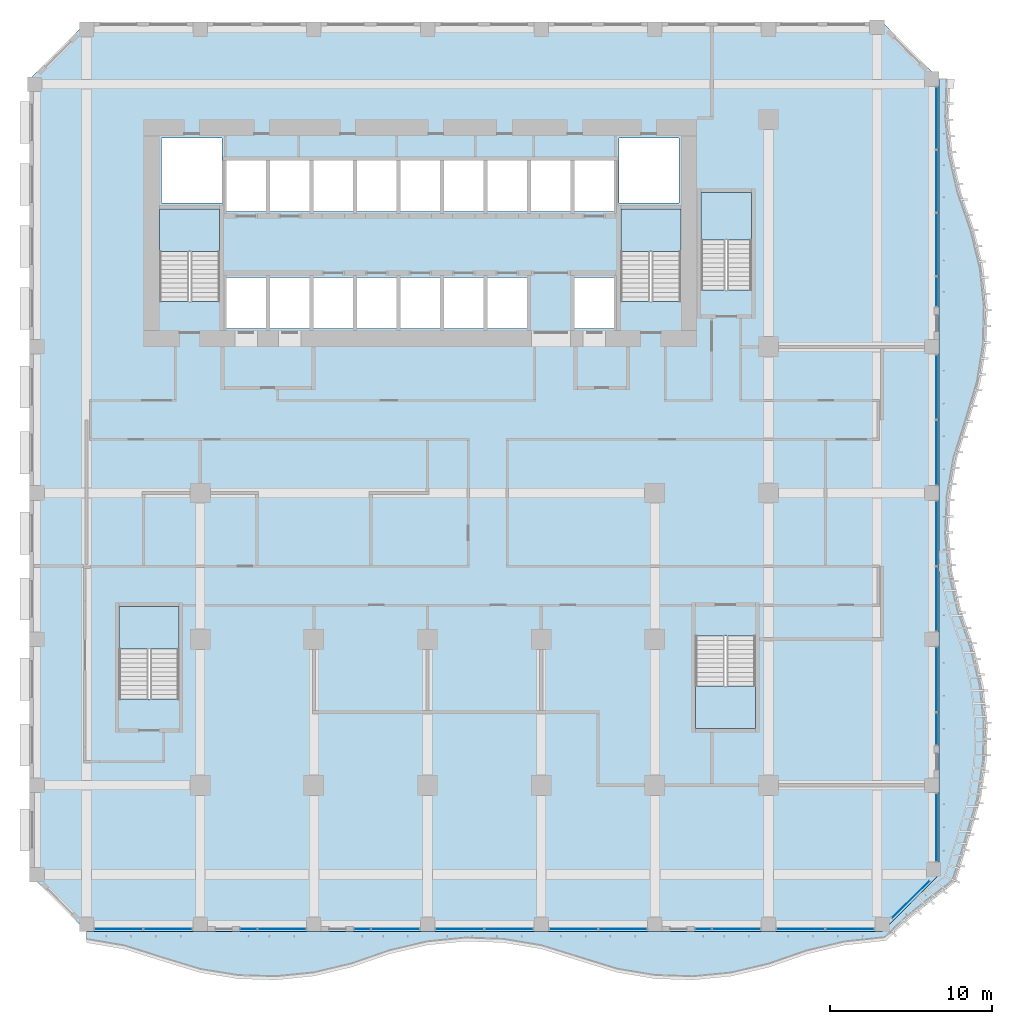
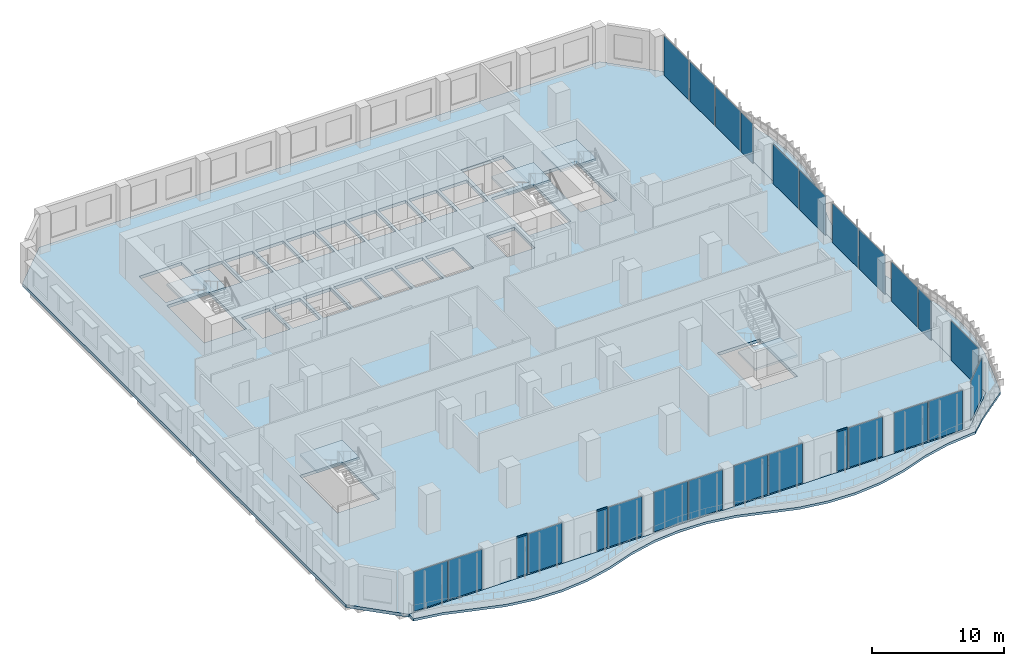
# One storey, part 10 of 27: 26 plates, 7 slabs, 3 members, 31 elements without a shape of their own.
"""IFC4 building model written with IfcOpenShell, lengths in metres."""

import ifcopenshell
import ifcopenshell.guid

model = None  # the IFC model being written
_history = None  # IfcOwnerHistory: only IFC2X3 demands one
_inside = {}  # id of a spatial element -> (the spatial element, [elements in it])
_under = {}  # id of a project, library or spatial element -> (it, [spatial elements below it])
_declared = {}  # id of a project -> (the project, [libraries it declares])
_typed = {}  # id of a type object -> (the type object, [elements of that type])
_made_of = {}  # id of a material, layer set ... -> (it, [elements and type objects made of it])


def new_model(schema):
    """Start an empty IFC model of exactly this schema.

    Asked for "IFC4X3", IfcOpenShell would pick the latest addendum, in which some entities
    have other attributes; the version numbers below select the first issue.
    IFC2X3 requires an IfcOwnerHistory on every rooted entity: one is made here for all.
    """
    global model, _history
    if schema == "IFC4X3":
        model = ifcopenshell.file(schema_version=(4, 3, 0, 0))
    else:
        model = ifcopenshell.file(schema=schema)
    _inside.clear()
    _under.clear()
    _declared.clear()
    _typed.clear()
    _made_of.clear()
    _history = None
    if model.schema == "IFC2X3":
        org = make("IfcOrganization", Name="unknown")
        user = make(
            "IfcPersonAndOrganization",
            ThePerson=make("IfcPerson", FamilyName="unknown"),
            TheOrganization=org,
        )
        app = make(
            "IfcApplication",
            ApplicationDeveloper=org,
            Version="unknown",
            ApplicationFullName="unknown",
            ApplicationIdentifier="unknown",
        )
        _history = make(
            "IfcOwnerHistory",
            OwningUser=user,
            OwningApplication=app,
            ChangeAction="ADDED",
            CreationDate=0,
        )
    return model


def make(cls, **values):
    """One entity of the class cls with the attributes given. An attribute that is None is left unset."""
    return model.create_entity(
        cls, **{name: value for name, value in values.items() if value is not None}
    )


def rooted(cls, **values):
    """An entity with a GlobalId (a new one), such as an element, a storey or a relation."""
    return make(cls, GlobalId=ifcopenshell.guid.new(), OwnerHistory=_history, **values)


def si_unit(unit_type, name, prefix=None):
    """IfcSIUnit, for example si_unit("LENGTHUNIT", "METRE", prefix="MILLI")."""
    return make("IfcSIUnit", UnitType=unit_type, Prefix=prefix, Name=name)


def assignment(units):
    """IfcUnitAssignment: the units of a project."""
    return None if units is None else make("IfcUnitAssignment", Units=units)


def point(xyz):
    """IfcCartesianPoint."""
    return None if xyz is None else make("IfcCartesianPoint", Coordinates=xyz)


def direction(xyz):
    """IfcDirection."""
    return None if xyz is None else make("IfcDirection", DirectionRatios=xyz)


def frame(location, z_axis=None, x_axis=None):
    """IfcAxis2Placement3D, a coordinate frame: its origin and axes. An axis left out is left unset."""
    return make(
        "IfcAxis2Placement3D",
        Location=point(location),
        Axis=direction(z_axis),
        RefDirection=direction(x_axis),
    )


def frame_2d(location, x_axis=None):
    """IfcAxis2Placement2D, a coordinate frame in the plane: its origin and x axis."""
    return make(
        "IfcAxis2Placement2D", Location=point(location), RefDirection=direction(x_axis)
    )


def origin():
    """The frame at (0, 0, 0) with its axes left unset."""
    return frame((0.0, 0.0, 0.0))


def origin_2d():
    """The frame at (0, 0) in the plane with its x axis left unset."""
    return frame_2d((0.0, 0.0))


def place(relative_to, where):
    """IfcLocalPlacement: puts the frame where relative to a parent placement (None: the world)."""
    return make(
        "IfcLocalPlacement", PlacementRelTo=relative_to, RelativePlacement=where
    )


def context(
    kind, dimensions, precision=None, world=None, true_north=None, identifier=None
):
    """IfcGeometricRepresentationContext, for example the 3D "Model" context."""
    return make(
        "IfcGeometricRepresentationContext",
        ContextIdentifier=identifier,
        ContextType=kind,
        CoordinateSpaceDimension=dimensions,
        Precision=precision,
        WorldCoordinateSystem=world,
        TrueNorth=true_north,
    )


def subcontext(parent, identifier, kind, view, scale=None):
    """IfcGeometricRepresentationSubContext, for example "Body" below "Model"."""
    return make(
        "IfcGeometricRepresentationSubContext",
        ContextIdentifier=identifier,
        ContextType=kind,
        ParentContext=parent,
        TargetScale=scale,
        TargetView=view,
    )


def project(units=None, contexts=None):
    """IfcProject with its units and contexts."""
    return rooted(
        "IfcProject",
        Name="project",
        RepresentationContexts=contexts,
        UnitsInContext=assignment(units),
    )


def spatial(cls, under=None, at=None, **own):
    """A site, building, storey or space (cls), placed at a placement, below another one or the project."""
    s = rooted(cls, ObjectPlacement=at, **own)
    if under is not None:
        _under.setdefault(under.id(), (under, []))[1].append(s)
    return s


def polyline(points):
    """IfcPolyline through the points."""
    return make("IfcPolyline", Points=[point(p) for p in points])


def profile(cls, at=None, kind="AREA", **sizes):
    """A parametric profile (cls). Its sizes go by their IFC names, for example OverallWidth=200.0."""
    return make(cls, ProfileType=kind, Position=at, **sizes)


def rectangle(**sizes):
    """IfcRectangleProfileDef."""
    return profile("IfcRectangleProfileDef", **sizes)


def outline(outer, holes=None, kind="AREA"):
    """IfcArbitraryClosedProfileDef: a profile drawn as a closed curve; with holes, ...WithVoids."""
    if holes is None:
        return make("IfcArbitraryClosedProfileDef", ProfileType=kind, OuterCurve=outer)
    return make(
        "IfcArbitraryProfileDefWithVoids",
        ProfileType=kind,
        OuterCurve=outer,
        InnerCurves=holes,
    )


def extrude(swept, where, along, depth):
    """IfcExtrudedAreaSolid: the profile swept, set in the frame where, extruded along a direction by depth."""
    return make(
        "IfcExtrudedAreaSolid",
        SweptArea=swept,
        Position=where,
        ExtrudedDirection=direction(along),
        Depth=depth,
    )


def shape(context_of_items, identifier, shape_type, items):
    """IfcShapeRepresentation: the items that make up one representation, for example the "Body"."""
    return make(
        "IfcShapeRepresentation",
        ContextOfItems=context_of_items,
        RepresentationIdentifier=identifier,
        RepresentationType=shape_type,
        Items=items,
    )


def source(mapping_origin, context_of_items, identifier, shape_type, items):
    """IfcRepresentationMap: a shape defined once, which mapped items show again and again."""
    return make(
        "IfcRepresentationMap",
        MappingOrigin=mapping_origin,
        MappedRepresentation=shape(context_of_items, identifier, shape_type, items),
    )


def transform(
    local_origin,
    x_axis=None,
    y_axis=None,
    z_axis=None,
    scale=None,
    scale2=None,
    scale3=None,
    uniform=True,
):
    """IfcCartesianTransformationOperator3D, or its non-uniform kind. x_axis, y_axis, z_axis: its Axis1, 2, 3."""
    if uniform:
        return make(
            "IfcCartesianTransformationOperator3D",
            Axis1=direction(x_axis),
            Axis2=direction(y_axis),
            LocalOrigin=point(local_origin),
            Scale=scale,
            Axis3=direction(z_axis),
        )
    return make(
        "IfcCartesianTransformationOperator3DnonUniform",
        Axis1=direction(x_axis),
        Axis2=direction(y_axis),
        LocalOrigin=point(local_origin),
        Scale=scale,
        Axis3=direction(z_axis),
        Scale2=scale2,
        Scale3=scale3,
    )


def mapped(mapping_source, mapping_target):
    """IfcMappedItem: shows the shape of a source again, moved by a transform."""
    return make(
        "IfcMappedItem", MappingSource=mapping_source, MappingTarget=mapping_target
    )


def material(Name=None, Category=None):
    """IfcMaterial."""
    return make("IfcMaterial", Name=Name, Category=Category)


def layer(
    of_material, thickness, ventilated=None, Name=None, Category=None, Priority=None
):
    """IfcMaterialLayer: one layer of a wall or slab, of a material (None: an air gap)."""
    return make(
        "IfcMaterialLayer",
        Material=of_material,
        LayerThickness=thickness,
        IsVentilated=ventilated,
        Name=Name,
        Category=Category,
        Priority=Priority,
    )


def layer_set(layers, Name=None):
    """IfcMaterialLayerSet."""
    return make("IfcMaterialLayerSet", MaterialLayers=layers, LayerSetName=Name)


def material_profile(
    of_material, cross_section, Name=None, Category=None, Priority=None
):
    """IfcMaterialProfile: a cross section and its material."""
    return make(
        "IfcMaterialProfile",
        Name=Name,
        Material=of_material,
        Profile=cross_section,
        Priority=Priority,
        Category=Category,
    )


def profile_set(profiles, Name=None, composite=None):
    """IfcMaterialProfileSet."""
    return make(
        "IfcMaterialProfileSet",
        Name=Name,
        MaterialProfiles=profiles,
        CompositeProfile=composite,
    )


def made_of(thing, what):
    """Note that an element or type object is made of a material, layer set ...; save() writes the relation."""
    if what is not None:
        _made_of.setdefault(what.id(), (what, []))[1].append(thing)
    return thing


def type_object(cls, material=None, **own):
    """A type object (cls), such as IfcWallType, which elements share."""
    return made_of(rooted(cls, **own), material)


def element(
    cls,
    number,
    at=None,
    inside=None,
    cuts=None,
    type_object=None,
    material=None,
    context=None,
    identifier="Body",
    shape_type=None,
    held_by="IfcProductDefinitionShape",
    body=None,
    shapes=None,
    **own,
):
    """One element of the class cls, such as IfcWall. Its Tag is "e" and its number.

    at: its placement. inside: the storey or other place that contains it. cuts: it is an
    opening in that element (IfcRelVoidsElement). A single representation is given by context,
    identifier, shape_type and body (its items); several are given by shapes. held_by: the class
    of the entity that holds the representations. save() writes the other relations.
    """
    e = rooted(cls, Tag="e%d" % number, ObjectPlacement=at, **own)
    if body is not None:
        shapes = [shape(context, identifier, shape_type, body)]
    if shapes is not None:
        e.Representation = make(held_by, Representations=shapes)
    if inside is not None:
        _inside.setdefault(inside.id(), (inside, []))[1].append(e)
    if cuts is not None:
        rooted(
            "IfcRelVoidsElement", RelatingBuildingElement=cuts, RelatedOpeningElement=e
        )
    if type_object is not None:
        _typed.setdefault(type_object.id(), (type_object, []))[1].append(e)
    return made_of(e, material)


def aggregate(whole, parts):
    """IfcRelAggregates: a whole, such as a stair, and the parts it consists of."""
    return rooted("IfcRelAggregates", RelatingObject=whole, RelatedObjects=parts)


def save(model, path):
    """Write the relations noted so far, then the file.

    IfcRelAggregates (storeys below a building ...), IfcRelContainedInSpatialStructure (elements
    in a storey), IfcRelDefinesByType, IfcRelAssociatesMaterial and IfcRelDeclares: one each for
    every whole, place, type object, material and project.
    """
    for whole, parts in _under.values():
        aggregate(whole, parts)
    for where, things in _inside.values():
        rooted(
            "IfcRelContainedInSpatialStructure",
            RelatedElements=things,
            RelatingStructure=where,
        )
    for kind, things in _typed.values():
        rooted("IfcRelDefinesByType", RelatedObjects=things, RelatingType=kind)
    for what, things in _made_of.values():
        rooted("IfcRelAssociatesMaterial", RelatedObjects=things, RelatingMaterial=what)
    for by, libraries in _declared.values():
        rooted("IfcRelDeclares", RelatingContext=by, RelatedDefinitions=libraries)
    model.write(path)


model = new_model("IFC4")

# Units and contexts
model_context = context("Model", 3, precision=1e-05, world=origin(), true_north=direction((0.0, 1.0)))
body_context = subcontext(model_context, "Body", "Model", "MODEL_VIEW")
ifc_project = project(units=[si_unit("LENGTHUNIT", "METRE"), si_unit("AREAUNIT", "SQUARE_METRE"), si_unit("VOLUMEUNIT", "CUBIC_METRE"), si_unit("PLANEANGLEUNIT", "RADIAN"), si_unit("MASSUNIT", "GRAM", prefix="KILO")], contexts=[model_context])

# Site, building, storey
site_placement = place(None, origin())
site = spatial("IfcSite", under=ifc_project, at=site_placement, CompositionType="ELEMENT")
building_placement = place(site_placement, origin())
building = spatial("IfcBuilding", under=site, at=building_placement, Name="Kilnfold Tower and Market Hall", CompositionType="ELEMENT")
storey_placement = place(building_placement, frame((0.0, 0.0, 71.199951171875)))
storey = spatial("IfcBuildingStorey", under=building, at=storey_placement, Name="L16", CompositionType="ELEMENT", Elevation=71.199951171875)

# Curtain wall, member
ifc_material_1 = material(Name="Aluminium and double glazing", Category="aluminium")
curtain_wall_type = type_object("IfcCurtainWallType", Name="CW OF1 VALLEY GLAZING", PredefinedType="NOTDEFINED", material=ifc_material_1)
curtain_wall_1_placement = place(storey_placement, origin())
curtain_wall_1 = element("IfcCurtainWall", 1, at=curtain_wall_1_placement, inside=storey, type_object=curtain_wall_type, Name="Curtain wall CW1 L16 S", PredefinedType="NOTDEFINED")
ifc_material_2 = material(Name="Aluminium", Category="aluminium")
ifc_material_profile = material_profile(ifc_material_2, rectangle(XDim=0.06005859375, YDim=0.139892578125, at=origin_2d()), Name="TRANSOM 60x140")
ifc_profile_set = profile_set([ifc_material_profile], Name="Aluminium")
member_type = type_object("IfcMemberType", Name="TRANSOM 60X140", PredefinedType="USERDEFINED", material=ifc_profile_set)
shared_shape_1 = source(origin(), body_context, "Body", "SweptSolid", [
    extrude(rectangle(XDim=0.06005859375, YDim=0.139892578125, at=origin_2d()), origin(), (0.0, 0.0, 1.0), 0.929931640625),
])
member_1_placement = place(storey_placement, frame((-9.989990234375, -27.85009765625, 3.68994140625), z_axis=(1.0, 0.0, 0.0), x_axis=(0.0, 1.0, 0.0)))
member_1 = element("IfcMember", 2, at=member_1_placement, type_object=member_type, Name="CW1 transom 1.2", ObjectType="TRANSOM", PredefinedType="USERDEFINED", context=body_context, shape_type="MappedRepresentation", body=[
    mapped(shared_shape_1, transform((0.0, 0.0, 0.0))),
])

curtain_wall_2_placement = place(storey_placement, origin())
curtain_wall_2 = element("IfcCurtainWall", 3, at=curtain_wall_2_placement, inside=storey, type_object=curtain_wall_type, Name="Curtain wall CW1 L16 S", PredefinedType="NOTDEFINED")
member_2_placement = place(storey_placement, frame((-2.989990234375, -27.85009765625, 3.68994140625), z_axis=(1.0, 0.0, 0.0), x_axis=(0.0, 1.0, 0.0)))
member_2 = element("IfcMember", 4, at=member_2_placement, type_object=member_type, Name="CW1 transom 1.2", ObjectType="TRANSOM", PredefinedType="USERDEFINED", context=body_context, shape_type="MappedRepresentation", body=[
    mapped(shared_shape_1, transform((0.0, 0.0, 0.0))),
])

curtain_wall_3_placement = place(storey_placement, origin())
curtain_wall_3 = element("IfcCurtainWall", 5, at=curtain_wall_3_placement, inside=storey, type_object=curtain_wall_type, Name="Curtain wall CW1 L16 S", PredefinedType="NOTDEFINED")
member_3_placement = place(storey_placement, frame((18.010009765625, -27.85009765625, 3.68994140625), z_axis=(1.0, 0.0, 0.0), x_axis=(0.0, 1.0, 0.0)))
member_3 = element("IfcMember", 6, at=member_3_placement, type_object=member_type, Name="CW1 transom 1.2", ObjectType="TRANSOM", PredefinedType="USERDEFINED", context=body_context, shape_type="MappedRepresentation", body=[
    mapped(shared_shape_1, transform((0.0, 0.0, 0.0))),
])

# Slab
ifc_material_3 = material(Name="Concrete C45", Category="concrete")
ifc_layer_1 = layer(ifc_material_3, 0.280029296875)
ifc_layer_set_1 = layer_set([ifc_layer_1], Name="Concrete C45")
slab_type_1 = type_object("IfcSlabType", Name="FLOOR SLAB 280", PredefinedType="FLOOR", material=ifc_layer_set_1)
shared_shape_2 = source(origin(), body_context, "Body", "SweptSolid", [
    extrude(outline(polyline([(-19.5, -28.0), (29.5, -28.0), (33.0, -24.5), (33.0, 24.5), (29.5, 28.0), (-19.5, 28.0), (-23.0, 24.5), (-23.0, -24.5), (-19.5, -28.0)]), holes=[polyline([(-13.800537109375, -13.699462890625), (-17.49951171875, -13.699462890625), (-17.49951171875, -8.00048828125), (-13.800537109375, -8.00048828125), (-13.800537109375, -13.699462890625)]), polyline([(-14.99951171875, 10.800537109375), (-14.99951171875, 16.49951171875), (-11.300537109375, 16.49951171875), (-11.300537109375, 10.800537109375), (-14.99951171875, 10.800537109375)]), polyline([(-14.875, 16.875), (-14.875, 20.875), (-11.175048828125, 20.875), (-11.175048828125, 16.875), (-14.875, 16.875)]), polyline([(-10.885009765625, 9.125), (-10.885009765625, 12.27490234375), (-8.455078125, 12.27490234375), (-8.455078125, 9.125), (-10.885009765625, 9.125)]), polyline([(-8.455078125, 16.324951171875), (-10.885009765625, 16.324951171875), (-10.885009765625, 19.47509765625), (-8.455078125, 19.47509765625), (-8.455078125, 16.324951171875)]), polyline([(-8.205078125, 9.125), (-8.205078125, 12.27490234375), (-5.77490234375, 12.27490234375), (-5.77490234375, 9.125), (-8.205078125, 9.125)]), polyline([(-8.205078125, 16.324951171875), (-8.205078125, 19.47509765625), (-5.77490234375, 19.47509765625), (-5.77490234375, 16.324951171875), (-8.205078125, 16.324951171875)]), polyline([(-3.094970703125, 9.125), (-5.52490234375, 9.125), (-5.52490234375, 12.27490234375), (-3.094970703125, 12.27490234375), (-3.094970703125, 9.125)]), polyline([(-5.52490234375, 16.324951171875), (-5.52490234375, 19.47509765625), (-3.094970703125, 19.47509765625), (-3.094970703125, 16.324951171875), (-5.52490234375, 16.324951171875)]), polyline([(-2.844970703125, 9.125), (-2.844970703125, 12.27490234375), (-0.4150390625, 12.27490234375), (-0.4150390625, 9.125), (-2.844970703125, 9.125)]), polyline([(-0.4150390625, 16.324951171875), (-2.844970703125, 16.324951171875), (-2.844970703125, 19.47509765625), (-0.4150390625, 19.47509765625), (-0.4150390625, 16.324951171875)]), polyline([(-0.1650390625, 9.125), (-0.1650390625, 12.27490234375), (2.264892578125, 12.27490234375), (2.264892578125, 9.125), (-0.1650390625, 9.125)]), polyline([(-0.1650390625, 16.324951171875), (-0.1650390625, 19.47509765625), (2.264892578125, 19.47509765625), (2.264892578125, 16.324951171875), (-0.1650390625, 16.324951171875)]), polyline([(2.514892578125, 9.125), (2.514892578125, 12.27490234375), (4.945068359375, 12.27490234375), (4.945068359375, 9.125), (2.514892578125, 9.125)]), polyline([(2.514892578125, 16.324951171875), (2.514892578125, 19.47509765625), (4.945068359375, 19.47509765625), (4.945068359375, 16.324951171875), (2.514892578125, 16.324951171875)]), polyline([(7.625, 9.125), (5.195068359375, 9.125), (5.195068359375, 12.27490234375), (7.625, 12.27490234375), (7.625, 9.125)]), polyline([(5.195068359375, 16.324951171875), (5.195068359375, 19.47509765625), (7.625, 19.47509765625), (7.625, 16.324951171875), (5.195068359375, 16.324951171875)]), polyline([(10.304931640625, 16.324951171875), (7.875, 16.324951171875), (7.875, 19.47509765625), (10.304931640625, 19.47509765625), (10.304931640625, 16.324951171875)]), polyline([(10.554931640625, 9.125), (10.554931640625, 12.27490234375), (12.985107421875, 12.27490234375), (12.985107421875, 9.125), (10.554931640625, 9.125)]), polyline([(10.554931640625, 16.324951171875), (10.554931640625, 19.47509765625), (12.985107421875, 19.47509765625), (12.985107421875, 16.324951171875), (10.554931640625, 16.324951171875)]), polyline([(13.27490234375, 16.875), (13.27490234375, 20.875), (16.97509765625, 20.875), (16.97509765625, 16.875), (13.27490234375, 16.875)]), polyline([(13.400390625, 10.800537109375), (13.400390625, 16.49951171875), (17.099609375, 16.49951171875), (17.099609375, 10.800537109375), (13.400390625, 10.800537109375)]), polyline([(18.00048828125, -9.800537109375), (21.699462890625, -9.800537109375), (21.699462890625, -15.49951171875), (18.00048828125, -15.49951171875), (18.00048828125, -9.800537109375)]), polyline([(21.449462890625, 11.50048828125), (18.3505859375, 11.50048828125), (18.3505859375, 17.49951171875), (21.449462890625, 17.49951171875), (21.449462890625, 11.50048828125)])]), origin(), (0.0, 0.0, 1.0), 0.280029296875),
])
slab_1_placement = place(storey_placement, frame((0.0, 0.0, -0.280029296875)))
element("IfcSlab", 7, at=slab_1_placement, inside=storey, type_object=slab_type_1, Name="Floor slab L16", PredefinedType="FLOOR", context=body_context, shape_type="MappedRepresentation", body=[
    mapped(shared_shape_2, transform((0.0, 0.0, 0.0))),
])

# Plate
ifc_material_4 = material(Name="Double glazed unit")
ifc_layer_2 = layer(ifc_material_4, 0.031982421875)
ifc_layer_set_2 = layer_set([ifc_layer_2], Name="Double glazed unit")
plate_type = type_object("IfcPlateType", Name="GLAZING PANEL 32", PredefinedType="CURTAIN_PANEL", material=ifc_layer_set_2)
shared_shape_3 = source(origin(), body_context, "Body", "SweptSolid", [
    extrude(rectangle(XDim=0.929931640625, YDim=0.031982421875, at=origin_2d()), origin(), (0.0, 0.0, 1.0), 3.659912109375),
])
plate_1_placement = place(storey_placement, frame((-9.52490234375, -27.85009765625, 0.0), z_axis=(0.0, 0.0, 1.0), x_axis=(1.0, 0.0, 0.0)))
plate_1 = element("IfcPlate", 8, at=plate_1_placement, type_object=plate_type, Name="CW1 panel 1.1", PredefinedType="CURTAIN_PANEL", context=body_context, shape_type="MappedRepresentation", body=[
    mapped(shared_shape_3, transform((0.0, 0.0, 0.0))),
])

aggregate(curtain_wall_1, [member_1, plate_1])

plate_2_placement = place(storey_placement, frame((-2.52490234375, -27.85009765625, 0.0), z_axis=(0.0, 0.0, 1.0), x_axis=(1.0, 0.0, 0.0)))
plate_2 = element("IfcPlate", 9, at=plate_2_placement, type_object=plate_type, Name="CW1 panel 1.1", PredefinedType="CURTAIN_PANEL", context=body_context, shape_type="MappedRepresentation", body=[
    mapped(shared_shape_3, transform((0.0, 0.0, 0.0))),
])

aggregate(curtain_wall_2, [member_2, plate_2])

plate_3_placement = place(storey_placement, frame((18.47509765625, -27.85009765625, 0.0), z_axis=(0.0, 0.0, 1.0), x_axis=(1.0, 0.0, 0.0)))
plate_3 = element("IfcPlate", 10, at=plate_3_placement, type_object=plate_type, Name="CW1 panel 1.1", PredefinedType="CURTAIN_PANEL", context=body_context, shape_type="MappedRepresentation", body=[
    mapped(shared_shape_3, transform((0.0, 0.0, 0.0))),
])

aggregate(curtain_wall_3, [member_3, plate_3])

# Curtain wall, plate
curtain_wall_4_placement = place(storey_placement, origin())
curtain_wall_4 = element("IfcCurtainWall", 11, at=curtain_wall_4_placement, inside=storey, type_object=curtain_wall_type, Name="Curtain wall CW1 L16 S", PredefinedType="NOTDEFINED")
shared_shape_4 = source(origin(), body_context, "Body", "SweptSolid", [
    extrude(rectangle(XDim=2.929931640625, YDim=0.031982421875, at=origin_2d()), origin(), (0.0, 0.0, 1.0), 3.659912109375),
])
plate_4_placement = place(storey_placement, frame((-17.52490234375, -27.85009765625, 0.0), z_axis=(0.0, 0.0, 1.0), x_axis=(1.0, 0.0, 0.0)))
plate_4 = element("IfcPlate", 12, at=plate_4_placement, type_object=plate_type, Name="CW1 panel 1.1", PredefinedType="CURTAIN_PANEL", context=body_context, shape_type="MappedRepresentation", body=[
    mapped(shared_shape_4, transform((0.0, 0.0, 0.0))),
])
aggregate(curtain_wall_4, [plate_4])

curtain_wall_5_placement = place(storey_placement, origin())
curtain_wall_5 = element("IfcCurtainWall", 13, at=curtain_wall_5_placement, inside=storey, type_object=curtain_wall_type, Name="Curtain wall CW1 L16 S", PredefinedType="NOTDEFINED")
plate_5_placement = place(storey_placement, frame((-14.47509765625, -27.85009765625, 0.0), z_axis=(0.0, 0.0, 1.0), x_axis=(1.0, 0.0, 0.0)))
plate_5 = element("IfcPlate", 14, at=plate_5_placement, type_object=plate_type, Name="CW1 panel 1.1", PredefinedType="CURTAIN_PANEL", context=body_context, shape_type="MappedRepresentation", body=[
    mapped(shared_shape_4, transform((0.0, 0.0, 0.0))),
])
aggregate(curtain_wall_5, [plate_5])

curtain_wall_6_placement = place(storey_placement, origin())
curtain_wall_6 = element("IfcCurtainWall", 15, at=curtain_wall_6_placement, inside=storey, type_object=curtain_wall_type, Name="Curtain wall CW1 L16 S", PredefinedType="NOTDEFINED")
plate_6_placement = place(storey_placement, frame((-7.47509765625, -27.85009765625, 0.0), z_axis=(0.0, 0.0, 1.0), x_axis=(1.0, 0.0, 0.0)))
plate_6 = element("IfcPlate", 16, at=plate_6_placement, type_object=plate_type, Name="CW1 panel 1.1", PredefinedType="CURTAIN_PANEL", context=body_context, shape_type="MappedRepresentation", body=[
    mapped(shared_shape_4, transform((0.0, 0.0, 0.0))),
])
aggregate(curtain_wall_6, [plate_6])

curtain_wall_7_placement = place(storey_placement, origin())
curtain_wall_7 = element("IfcCurtainWall", 17, at=curtain_wall_7_placement, inside=storey, type_object=curtain_wall_type, Name="Curtain wall CW1 L16 S", PredefinedType="NOTDEFINED")
plate_7_placement = place(storey_placement, frame((-0.47509765625, -27.85009765625, 0.0), z_axis=(0.0, 0.0, 1.0), x_axis=(1.0, 0.0, 0.0)))
plate_7 = element("IfcPlate", 18, at=plate_7_placement, type_object=plate_type, Name="CW1 panel 1.1", PredefinedType="CURTAIN_PANEL", context=body_context, shape_type="MappedRepresentation", body=[
    mapped(shared_shape_4, transform((0.0, 0.0, 0.0))),
])
aggregate(curtain_wall_7, [plate_7])

curtain_wall_8_placement = place(storey_placement, origin())
curtain_wall_8 = element("IfcCurtainWall", 19, at=curtain_wall_8_placement, inside=storey, type_object=curtain_wall_type, Name="Curtain wall CW1 L16 S", PredefinedType="NOTDEFINED")
plate_8_placement = place(storey_placement, frame((3.47509765625, -27.85009765625, 0.0), z_axis=(0.0, 0.0, 1.0), x_axis=(1.0, 0.0, 0.0)))
plate_8 = element("IfcPlate", 20, at=plate_8_placement, type_object=plate_type, Name="CW1 panel 1.1", PredefinedType="CURTAIN_PANEL", context=body_context, shape_type="MappedRepresentation", body=[
    mapped(shared_shape_4, transform((0.0, 0.0, 0.0))),
])
aggregate(curtain_wall_8, [plate_8])

curtain_wall_9_placement = place(storey_placement, origin())
curtain_wall_9 = element("IfcCurtainWall", 21, at=curtain_wall_9_placement, inside=storey, type_object=curtain_wall_type, Name="Curtain wall CW1 L16 S", PredefinedType="NOTDEFINED")
plate_9_placement = place(storey_placement, frame((6.52490234375, -27.85009765625, 0.0), z_axis=(0.0, 0.0, 1.0), x_axis=(1.0, 0.0, 0.0)))
plate_9 = element("IfcPlate", 22, at=plate_9_placement, type_object=plate_type, Name="CW1 panel 1.1", PredefinedType="CURTAIN_PANEL", context=body_context, shape_type="MappedRepresentation", body=[
    mapped(shared_shape_4, transform((0.0, 0.0, 0.0))),
])
aggregate(curtain_wall_9, [plate_9])

curtain_wall_10_placement = place(storey_placement, origin())
curtain_wall_10 = element("IfcCurtainWall", 23, at=curtain_wall_10_placement, inside=storey, type_object=curtain_wall_type, Name="Curtain wall CW1 L16 S", PredefinedType="NOTDEFINED")
plate_10_placement = place(storey_placement, frame((10.47509765625, -27.85009765625, 0.0), z_axis=(0.0, 0.0, 1.0), x_axis=(1.0, 0.0, 0.0)))
plate_10 = element("IfcPlate", 24, at=plate_10_placement, type_object=plate_type, Name="CW1 panel 1.1", PredefinedType="CURTAIN_PANEL", context=body_context, shape_type="MappedRepresentation", body=[
    mapped(shared_shape_4, transform((0.0, 0.0, 0.0))),
])
aggregate(curtain_wall_10, [plate_10])

curtain_wall_11_placement = place(storey_placement, origin())
curtain_wall_11 = element("IfcCurtainWall", 25, at=curtain_wall_11_placement, inside=storey, type_object=curtain_wall_type, Name="Curtain wall CW1 L16 S", PredefinedType="NOTDEFINED")
plate_11_placement = place(storey_placement, frame((13.52490234375, -27.85009765625, 0.0), z_axis=(0.0, 0.0, 1.0), x_axis=(1.0, 0.0, 0.0)))
plate_11 = element("IfcPlate", 26, at=plate_11_placement, type_object=plate_type, Name="CW1 panel 1.1", PredefinedType="CURTAIN_PANEL", context=body_context, shape_type="MappedRepresentation", body=[
    mapped(shared_shape_4, transform((0.0, 0.0, 0.0))),
])
aggregate(curtain_wall_11, [plate_11])

curtain_wall_12_placement = place(storey_placement, origin())
curtain_wall_12 = element("IfcCurtainWall", 27, at=curtain_wall_12_placement, inside=storey, type_object=curtain_wall_type, Name="Curtain wall CW1 L16 S", PredefinedType="NOTDEFINED")
plate_12_placement = place(storey_placement, frame((20.52490234375, -27.85009765625, 0.0), z_axis=(0.0, 0.0, 1.0), x_axis=(1.0, 0.0, 0.0)))
plate_12 = element("IfcPlate", 28, at=plate_12_placement, type_object=plate_type, Name="CW1 panel 1.1", PredefinedType="CURTAIN_PANEL", context=body_context, shape_type="MappedRepresentation", body=[
    mapped(shared_shape_4, transform((0.0, 0.0, 0.0))),
])
aggregate(curtain_wall_12, [plate_12])

curtain_wall_13_placement = place(storey_placement, origin())
curtain_wall_13 = element("IfcCurtainWall", 29, at=curtain_wall_13_placement, inside=storey, type_object=curtain_wall_type, Name="Curtain wall CW1 L16 S", PredefinedType="NOTDEFINED")
plate_13_placement = place(storey_placement, frame((24.47509765625, -27.85009765625, 0.0), z_axis=(0.0, 0.0, 1.0), x_axis=(1.0, 0.0, 0.0)))
plate_13 = element("IfcPlate", 30, at=plate_13_placement, type_object=plate_type, Name="CW1 panel 1.1", PredefinedType="CURTAIN_PANEL", context=body_context, shape_type="MappedRepresentation", body=[
    mapped(shared_shape_4, transform((0.0, 0.0, 0.0))),
])
aggregate(curtain_wall_13, [plate_13])

curtain_wall_14_placement = place(storey_placement, origin())
curtain_wall_14 = element("IfcCurtainWall", 31, at=curtain_wall_14_placement, inside=storey, type_object=curtain_wall_type, Name="Curtain wall CW1 L16 S", PredefinedType="NOTDEFINED")
plate_14_placement = place(storey_placement, frame((27.52490234375, -27.85009765625, 0.0), z_axis=(0.0, 0.0, 1.0), x_axis=(1.0, 0.0, 0.0)))
plate_14 = element("IfcPlate", 32, at=plate_14_placement, type_object=plate_type, Name="CW1 panel 1.1", PredefinedType="CURTAIN_PANEL", context=body_context, shape_type="MappedRepresentation", body=[
    mapped(shared_shape_4, transform((0.0, 0.0, 0.0))),
])
aggregate(curtain_wall_14, [plate_14])

curtain_wall_15_placement = place(storey_placement, origin())
curtain_wall_15 = element("IfcCurtainWall", 33, at=curtain_wall_15_placement, inside=storey, type_object=curtain_wall_type, Name="Curtain wall CW1 L16 E", PredefinedType="NOTDEFINED")
shared_shape_5 = source(origin(), body_context, "Body", "SweptSolid", [
    extrude(rectangle(XDim=3.929931640625, YDim=0.031982421875, at=origin_2d()), origin(), (0.0, 0.0, 1.0), 3.659912109375),
])
plate_15_placement = place(storey_placement, frame((32.85009765625, -12.47509765625, 0.0), z_axis=(0.0, 0.0, 1.0), x_axis=(0.0, 1.0, 0.0)))
plate_15 = element("IfcPlate", 34, at=plate_15_placement, type_object=plate_type, Name="CW1 panel 1.1", PredefinedType="CURTAIN_PANEL", context=body_context, shape_type="MappedRepresentation", body=[
    mapped(shared_shape_5, transform((0.0, 0.0, 0.0))),
])
aggregate(curtain_wall_15, [plate_15])

curtain_wall_16_placement = place(storey_placement, origin())
curtain_wall_16 = element("IfcCurtainWall", 35, at=curtain_wall_16_placement, inside=storey, type_object=curtain_wall_type, Name="Curtain wall CW1 L16 E", PredefinedType="NOTDEFINED")
plate_16_placement = place(storey_placement, frame((32.85009765625, -7.52490234375, 0.0), z_axis=(0.0, 0.0, 1.0), x_axis=(0.0, 1.0, 0.0)))
plate_16 = element("IfcPlate", 36, at=plate_16_placement, type_object=plate_type, Name="CW1 panel 1.1", PredefinedType="CURTAIN_PANEL", context=body_context, shape_type="MappedRepresentation", body=[
    mapped(shared_shape_5, transform((0.0, 0.0, 0.0))),
])
aggregate(curtain_wall_16, [plate_16])

curtain_wall_17_placement = place(storey_placement, origin())
curtain_wall_17 = element("IfcCurtainWall", 37, at=curtain_wall_17_placement, inside=storey, type_object=curtain_wall_type, Name="Curtain wall CW1 L16 E", PredefinedType="NOTDEFINED")
plate_17_placement = place(storey_placement, frame((32.85009765625, -3.47509765625, 0.0), z_axis=(0.0, 0.0, 1.0), x_axis=(0.0, 1.0, 0.0)))
plate_17 = element("IfcPlate", 38, at=plate_17_placement, type_object=plate_type, Name="CW1 panel 1.1", PredefinedType="CURTAIN_PANEL", context=body_context, shape_type="MappedRepresentation", body=[
    mapped(shared_shape_5, transform((0.0, 0.0, 0.0))),
])
aggregate(curtain_wall_17, [plate_17])

curtain_wall_18_placement = place(storey_placement, origin())
curtain_wall_18 = element("IfcCurtainWall", 39, at=curtain_wall_18_placement, inside=storey, type_object=curtain_wall_type, Name="Curtain wall CW1 L16 E", PredefinedType="NOTDEFINED")
plate_18_placement = place(storey_placement, frame((32.85009765625, 1.47509765625, 0.0), z_axis=(0.0, 0.0, 1.0), x_axis=(0.0, 1.0, 0.0)))
plate_18 = element("IfcPlate", 40, at=plate_18_placement, type_object=plate_type, Name="CW1 panel 1.1", PredefinedType="CURTAIN_PANEL", context=body_context, shape_type="MappedRepresentation", body=[
    mapped(shared_shape_5, transform((0.0, 0.0, 0.0))),
])
aggregate(curtain_wall_18, [plate_18])

curtain_wall_19_placement = place(storey_placement, origin())
curtain_wall_19 = element("IfcCurtainWall", 41, at=curtain_wall_19_placement, inside=storey, type_object=curtain_wall_type, Name="Curtain wall CW1 L16 E", PredefinedType="NOTDEFINED")
plate_19_placement = place(storey_placement, frame((32.85009765625, 5.52490234375, 0.0), z_axis=(0.0, 0.0, 1.0), x_axis=(0.0, 1.0, 0.0)))
plate_19 = element("IfcPlate", 42, at=plate_19_placement, type_object=plate_type, Name="CW1 panel 1.1", PredefinedType="CURTAIN_PANEL", context=body_context, shape_type="MappedRepresentation", body=[
    mapped(shared_shape_5, transform((0.0, 0.0, 0.0))),
])
aggregate(curtain_wall_19, [plate_19])

curtain_wall_20_placement = place(storey_placement, origin())
curtain_wall_20 = element("IfcCurtainWall", 43, at=curtain_wall_20_placement, inside=storey, type_object=curtain_wall_type, Name="Curtain wall CW1 L16 E", PredefinedType="NOTDEFINED")
shared_shape_6 = source(origin(), body_context, "Body", "SweptSolid", [
    extrude(rectangle(XDim=1.929931640625, YDim=0.031982421875, at=origin_2d()), origin(), (0.0, 0.0, 1.0), 3.659912109375),
])
plate_20_placement = place(storey_placement, frame((32.85009765625, -15.52490234375, 0.0), z_axis=(0.0, 0.0, 1.0), x_axis=(0.0, 1.0, 0.0)))
plate_20 = element("IfcPlate", 44, at=plate_20_placement, type_object=plate_type, Name="CW1 panel 1.1", PredefinedType="CURTAIN_PANEL", context=body_context, shape_type="MappedRepresentation", body=[
    mapped(shared_shape_6, transform((0.0, 0.0, 0.0))),
])
aggregate(curtain_wall_20, [plate_20])

curtain_wall_21_placement = place(storey_placement, origin())
curtain_wall_21 = element("IfcCurtainWall", 45, at=curtain_wall_21_placement, inside=storey, type_object=curtain_wall_type, Name="Curtain wall CW1 L16 E", PredefinedType="NOTDEFINED")
shared_shape_7 = source(origin(), body_context, "Body", "SweptSolid", [
    extrude(rectangle(XDim=3.780029296875, YDim=0.031982421875, at=origin_2d()), origin(), (0.0, 0.0, 1.0), 3.659912109375),
])
plate_21_placement = place(storey_placement, frame((32.85009765625, 14.300048828125, 0.0), z_axis=(0.0, 0.0, 1.0), x_axis=(0.0, 1.0, 0.0)))
plate_21 = element("IfcPlate", 46, at=plate_21_placement, type_object=plate_type, Name="CW1 panel 1.1", PredefinedType="CURTAIN_PANEL", context=body_context, shape_type="MappedRepresentation", body=[
    mapped(shared_shape_7, transform((0.0, 0.0, 0.0))),
])
aggregate(curtain_wall_21, [plate_21])

curtain_wall_22_placement = place(storey_placement, origin())
curtain_wall_22 = element("IfcCurtainWall", 47, at=curtain_wall_22_placement, inside=storey, type_object=curtain_wall_type, Name="Curtain wall CW1 L16 E", PredefinedType="NOTDEFINED")
plate_22_placement = place(storey_placement, frame((32.85009765625, 18.199951171875, 0.0), z_axis=(0.0, 0.0, 1.0), x_axis=(0.0, 1.0, 0.0)))
plate_22 = element("IfcPlate", 48, at=plate_22_placement, type_object=plate_type, Name="CW1 panel 1.1", PredefinedType="CURTAIN_PANEL", context=body_context, shape_type="MappedRepresentation", body=[
    mapped(shared_shape_7, transform((0.0, 0.0, 0.0))),
])
aggregate(curtain_wall_22, [plate_22])

curtain_wall_23_placement = place(storey_placement, origin())
curtain_wall_23 = element("IfcCurtainWall", 49, at=curtain_wall_23_placement, inside=storey, type_object=curtain_wall_type, Name="Curtain wall CW1 L16 E", PredefinedType="NOTDEFINED")
plate_23_placement = place(storey_placement, frame((32.85009765625, 22.10009765625, 0.0), z_axis=(0.0, 0.0, 1.0), x_axis=(0.0, 1.0, 0.0)))
plate_23 = element("IfcPlate", 50, at=plate_23_placement, type_object=plate_type, Name="CW1 panel 1.1", PredefinedType="CURTAIN_PANEL", context=body_context, shape_type="MappedRepresentation", body=[
    mapped(shared_shape_7, transform((0.0, 0.0, 0.0))),
])
aggregate(curtain_wall_23, [plate_23])

curtain_wall_24_placement = place(storey_placement, origin())
curtain_wall_24 = element("IfcCurtainWall", 51, at=curtain_wall_24_placement, inside=storey, type_object=curtain_wall_type, Name="Curtain wall CW1 L16 E", PredefinedType="NOTDEFINED")
shared_shape_8 = source(origin(), body_context, "Body", "SweptSolid", [
    extrude(rectangle(XDim=1.780029296875, YDim=0.031982421875, at=origin_2d()), origin(), (0.0, 0.0, 1.0), 3.659912109375),
])
plate_24_placement = place(storey_placement, frame((32.85009765625, 11.39990234375, 0.0), z_axis=(0.0, 0.0, 1.0), x_axis=(0.0, 1.0, 0.0)))
plate_24 = element("IfcPlate", 52, at=plate_24_placement, type_object=plate_type, Name="CW1 panel 1.1", PredefinedType="CURTAIN_PANEL", context=body_context, shape_type="MappedRepresentation", body=[
    mapped(shared_shape_8, transform((0.0, 0.0, 0.0))),
])
aggregate(curtain_wall_24, [plate_24])

curtain_wall_25_placement = place(storey_placement, origin())
curtain_wall_25 = element("IfcCurtainWall", 53, at=curtain_wall_25_placement, inside=storey, type_object=curtain_wall_type, Name="Curtain wall CW1 L16 E", PredefinedType="NOTDEFINED")
shared_shape_9 = source(origin(), body_context, "Body", "SweptSolid", [
    extrude(rectangle(XDim=4.161865234375, YDim=0.031982421875, at=origin_2d()), origin(), (0.0, 0.0, 1.0), 3.659912109375),
])
plate_25_placement = place(storey_placement, frame((32.85009765625, -21.5908203125, 0.0), z_axis=(0.0, 0.0, 1.0), x_axis=(0.0, 1.0, 0.0)))
plate_25 = element("IfcPlate", 54, at=plate_25_placement, type_object=plate_type, Name="CW1 panel 1.1", PredefinedType="CURTAIN_PANEL", context=body_context, shape_type="MappedRepresentation", body=[
    mapped(shared_shape_9, transform((0.0, 0.0, 0.0))),
])
aggregate(curtain_wall_25, [plate_25])

curtain_wall_26_placement = place(storey_placement, origin())
curtain_wall_26 = element("IfcCurtainWall", 55, at=curtain_wall_26_placement, inside=storey, type_object=curtain_wall_type, Name="Curtain wall CW1 L16 SE", PredefinedType="NOTDEFINED")
shared_shape_10 = source(origin(), body_context, "Body", "SweptSolid", [
    extrude(rectangle(XDim=3.23876953125, YDim=0.031982421875, at=origin_2d()), origin(), (0.0, 0.0, 1.0), 3.659912109375),
])
plate_26_placement = place(storey_placement, frame((31.25634765625, -26.031494140625, 0.0), z_axis=(0.0, 0.0, 1.0), x_axis=(0.707121667181, 0.707091894879, 0.0)))
plate_26 = element("IfcPlate", 56, at=plate_26_placement, type_object=plate_type, Name="CW1 panel 1.1", PredefinedType="CURTAIN_PANEL", context=body_context, shape_type="MappedRepresentation", body=[
    mapped(shared_shape_10, transform((0.0, 0.0, 0.0))),
])
aggregate(curtain_wall_26, [plate_26])

# Slab
ifc_material_5 = material(Name="Concrete C40/50", Category="concrete")
ifc_layer_3 = layer(ifc_material_5, 0.219970703125)
ifc_layer_set_3 = layer_set([ifc_layer_3], Name="Concrete C40/50")
slab_type_2 = type_object("IfcSlabType", Name="BALCONY SLAB 220", PredefinedType="FLOOR", material=ifc_layer_set_3)
shared_shape_11 = source(origin(), body_context, "Body", "SweptSolid", [
    extrude(outline(polyline([(-19.5, -28.0), (29.5, -28.0), (33.0, -24.5), (33.0, 24.5), (33.69482421875, 24.5), (33.60693359375, 22.166748046875), (33.825439453125, 19.833251953125), (34.362548828125, 17.5), (35.171875, 15.166748046875), (35.7392578125, 12.833251953125), (35.986083984375, 10.5), (35.92578125, 8.166748046875), (35.555419921875, 5.833251953125), (34.85400390625, 3.5), (34.111572265625, 1.166748046875), (33.702392578125, -1.166748046875), (33.60498046875, -3.5), (33.814208984375, -5.833251953125), (34.34130859375, -8.166748046875), (35.1494140625, -10.5), (35.726806640625, -12.833251953125), (35.98291015625, -15.166748046875), (35.93212890625, -17.5), (35.5712890625, -19.833251953125), (34.880615234375, -22.166748046875), (34.04296875, -24.931884765625), (32.39892578125, -26.232421875), (31.111328125, -27.27783203125), (29.73388671875, -28.564697265625), (27.166748046875, -28.848876953125), (24.833251953125, -29.406005859375), (22.5, -30.216064453125), (20.166748046875, -30.762939453125), (17.833251953125, -30.990966796875), (15.5, -30.912353515625), (13.166748046875, -30.5224609375), (8.5, -29.077392578125), (6.166748046875, -28.687744140625), (3.833251953125, -28.60888671875), (1.5, -28.8369140625), (-0.833251953125, -29.384033203125), (-3.166748046875, -30.194091796875), (-5.5, -30.751220703125), (-7.833251953125, -30.98876953125), (-10.166748046875, -30.919189453125), (-12.5, -30.5390625), (-14.833251953125, -29.8271484375), (-17.166748046875, -29.09423828125), (-19.5, -28.69482421875), (-19.5, -28.0)])), origin(), (0.0, 0.0, 1.0), 0.219970703125),
])
slab_2_placement = place(storey_placement, frame((0.0, 0.0, -0.219970703125)))
element("IfcSlab", 57, at=slab_2_placement, inside=storey, type_object=slab_type_2, Name="Balcony slab L16", PredefinedType="FLOOR", context=body_context, shape_type="MappedRepresentation", body=[
    mapped(shared_shape_11, transform((0.0, 0.0, 0.0))),
])

# Stair, slab
ifc_material_6 = material(Name="Concrete C40/50", Category="concrete")
stair_type_1 = type_object("IfcStairType", Name="CORE STAIR 1800", PredefinedType="HALF_TURN_STAIR", material=ifc_material_6)
stair_1_placement = place(storey_placement, origin())
stair_1 = element("IfcStair", 58, at=stair_1_placement, inside=storey, type_object=stair_type_1, Name="L16 ST1", PredefinedType="HALF_TURN_STAIR")
ifc_material_7 = material(Name="Concrete C40/50", Category="concrete")
ifc_layer_4 = layer(ifc_material_7, 0.199951171875)
ifc_layer_set_4 = layer_set([ifc_layer_4], Name="Concrete C40/50")
slab_type_3 = type_object("IfcSlabType", Name="CORE STAIR LANDING 200", PredefinedType="LANDING", material=ifc_layer_set_4)
shared_shape_12 = source(origin(), body_context, "Body", "SweptSolid", [
    extrude(outline(polyline([(-11.300048828125, 13.8798828125), (-11.300048828125, 16.5), (-15.0, 16.5), (-15.0, 13.8798828125), (-11.300048828125, 13.8798828125)])), origin(), (0.0, 0.0, 1.0), 0.199951171875),
])
slab_3_placement = place(storey_placement, frame((0.0, 0.0, 1.800048828125)))
slab_3 = element("IfcSlab", 59, at=slab_3_placement, type_object=slab_type_3, Name="ST1 landing 1", PredefinedType="LANDING", context=body_context, shape_type="MappedRepresentation", body=[
    mapped(shared_shape_12, transform((0.0, 0.0, 0.0))),
])
aggregate(stair_1, [slab_3])

stair_2_placement = place(storey_placement, origin())
stair_2 = element("IfcStair", 60, at=stair_2_placement, inside=storey, type_object=stair_type_1, Name="L16 ST2", PredefinedType="HALF_TURN_STAIR")
shared_shape_13 = source(origin(), body_context, "Body", "SweptSolid", [
    extrude(outline(polyline([(17.10009765625, 13.8798828125), (17.10009765625, 16.5), (13.39990234375, 16.5), (13.39990234375, 13.8798828125), (17.10009765625, 13.8798828125)])), origin(), (0.0, 0.0, 1.0), 0.199951171875),
])
slab_4_placement = place(storey_placement, frame((0.0, 0.0, 1.800048828125)))
slab_4 = element("IfcSlab", 61, at=slab_4_placement, type_object=slab_type_3, Name="ST2 landing 1", PredefinedType="LANDING", context=body_context, shape_type="MappedRepresentation", body=[
    mapped(shared_shape_13, transform((0.0, 0.0, 0.0))),
])
aggregate(stair_2, [slab_4])

stair_3_placement = place(storey_placement, origin())
stair_3 = element("IfcStair", 62, at=stair_3_placement, inside=storey, type_object=stair_type_1, Name="L16 ST3", PredefinedType="HALF_TURN_STAIR")
shared_shape_14 = source(origin(), body_context, "Body", "SweptSolid", [
    extrude(outline(polyline([(-13.800048828125, -10.6201171875), (-13.800048828125, -8.0), (-17.5, -8.0), (-17.5, -10.6201171875), (-13.800048828125, -10.6201171875)])), origin(), (0.0, 0.0, 1.0), 0.199951171875),
])
slab_5_placement = place(storey_placement, frame((0.0, 0.0, 1.800048828125)))
slab_5 = element("IfcSlab", 63, at=slab_5_placement, type_object=slab_type_3, Name="ST3 landing 1", PredefinedType="LANDING", context=body_context, shape_type="MappedRepresentation", body=[
    mapped(shared_shape_14, transform((0.0, 0.0, 0.0))),
])
aggregate(stair_3, [slab_5])

stair_4_placement = place(storey_placement, origin())
stair_4 = element("IfcStair", 64, at=stair_4_placement, inside=storey, type_object=stair_type_1, Name="L16 ST4", PredefinedType="HALF_TURN_STAIR")
shared_shape_15 = source(origin(), body_context, "Body", "SweptSolid", [
    extrude(outline(polyline([(18.0, -12.8798828125), (18.0, -15.5), (21.699951171875, -15.5), (21.699951171875, -12.8798828125), (18.0, -12.8798828125)])), origin(), (0.0, 0.0, 1.0), 0.199951171875),
])
slab_6_placement = place(storey_placement, frame((0.0, 0.0, 1.800048828125)))
slab_6 = element("IfcSlab", 65, at=slab_6_placement, type_object=slab_type_3, Name="ST4 landing 1", PredefinedType="LANDING", context=body_context, shape_type="MappedRepresentation", body=[
    mapped(shared_shape_15, transform((0.0, 0.0, 0.0))),
])
aggregate(stair_4, [slab_6])

ifc_material_8 = material(Name="Concrete C40/50", Category="concrete")
stair_type_2 = type_object("IfcStairType", Name="CORE STAIR 1500", PredefinedType="HALF_TURN_STAIR", material=ifc_material_8)
stair_5_placement = place(storey_placement, origin())
stair_5 = element("IfcStair", 66, at=stair_5_placement, inside=storey, type_object=stair_type_2, Name="L16 ST5", PredefinedType="HALF_TURN_STAIR")
shared_shape_16 = source(origin(), body_context, "Body", "SweptSolid", [
    extrude(outline(polyline([(21.449951171875, 14.580078125), (21.449951171875, 17.5), (18.35009765625, 17.5), (18.35009765625, 14.580078125), (21.449951171875, 14.580078125)])), origin(), (0.0, 0.0, 1.0), 0.199951171875),
])
slab_7_placement = place(storey_placement, frame((0.0, 0.0, 1.800048828125)))
slab_7 = element("IfcSlab", 67, at=slab_7_placement, type_object=slab_type_3, Name="ST5 landing 1", PredefinedType="LANDING", context=body_context, shape_type="MappedRepresentation", body=[
    mapped(shared_shape_16, transform((0.0, 0.0, 0.0))),
])
aggregate(stair_5, [slab_7])

save(model, "model.ifc")
